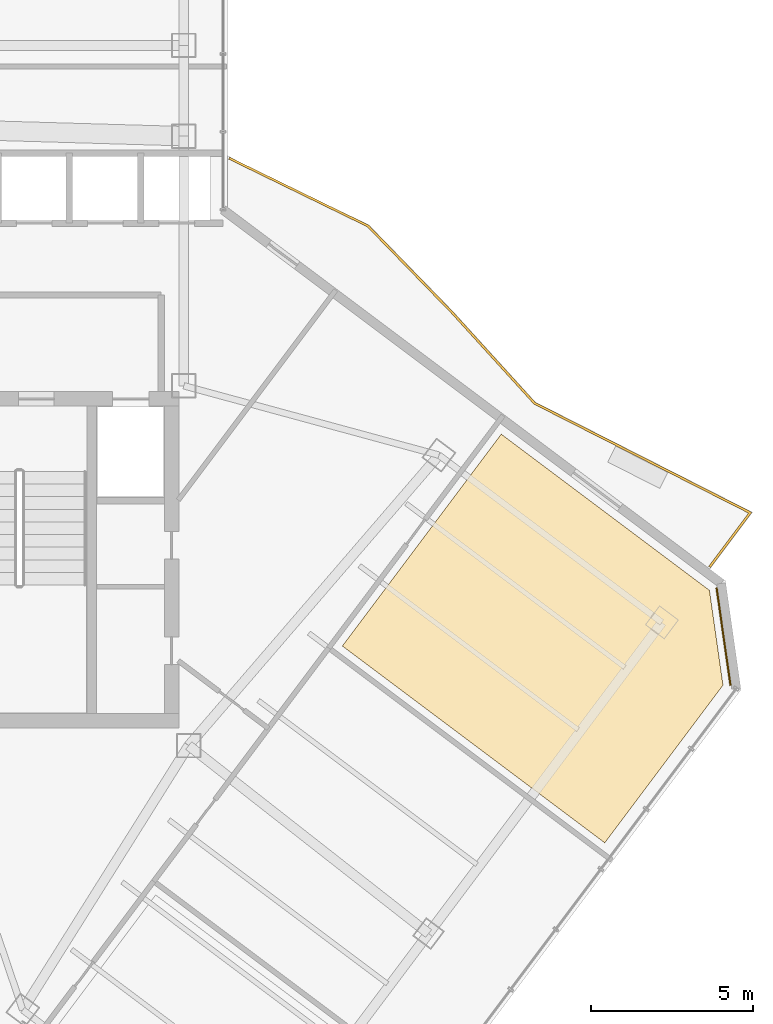
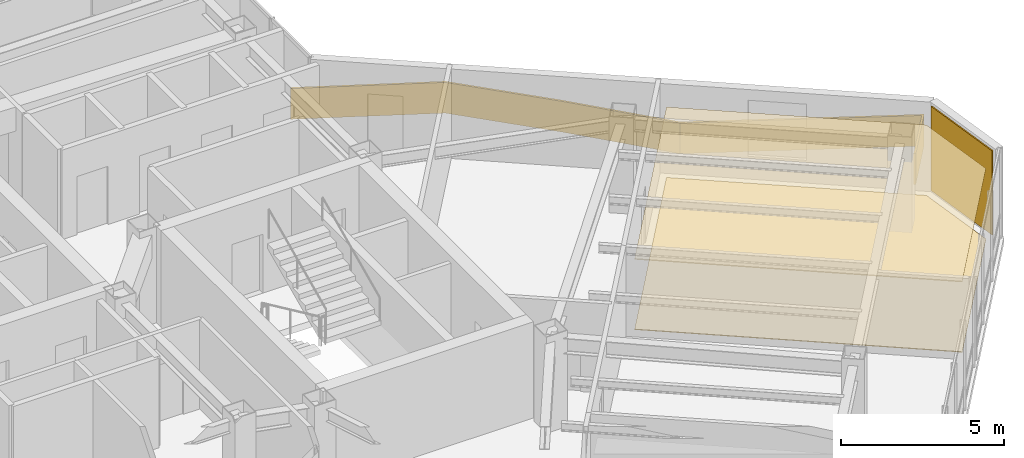
# One storey, part 25 of 26: 3 coverings, 1 railing.
"""IFC4 building model written with IfcOpenShell, lengths in metres."""

import ifcopenshell
import ifcopenshell.guid

model = None  # the IFC model being written
_history = None  # IfcOwnerHistory: only IFC2X3 demands one
_inside = {}  # id of a spatial element -> (the spatial element, [elements in it])
_under = {}  # id of a project, library or spatial element -> (it, [spatial elements below it])
_declared = {}  # id of a project -> (the project, [libraries it declares])
_typed = {}  # id of a type object -> (the type object, [elements of that type])
_made_of = {}  # id of a material, layer set ... -> (it, [elements and type objects made of it])


def new_model(schema):
    """Start an empty IFC model of exactly this schema.

    Asked for "IFC4X3", IfcOpenShell would pick the latest addendum, in which some entities
    have other attributes; the version numbers below select the first issue.
    IFC2X3 requires an IfcOwnerHistory on every rooted entity: one is made here for all.
    """
    global model, _history
    if schema == "IFC4X3":
        model = ifcopenshell.file(schema_version=(4, 3, 0, 0))
    else:
        model = ifcopenshell.file(schema=schema)
    _inside.clear()
    _under.clear()
    _declared.clear()
    _typed.clear()
    _made_of.clear()
    _history = None
    if model.schema == "IFC2X3":
        org = make("IfcOrganization", Name="unknown")
        user = make(
            "IfcPersonAndOrganization",
            ThePerson=make("IfcPerson", FamilyName="unknown"),
            TheOrganization=org,
        )
        app = make(
            "IfcApplication",
            ApplicationDeveloper=org,
            Version="unknown",
            ApplicationFullName="unknown",
            ApplicationIdentifier="unknown",
        )
        _history = make(
            "IfcOwnerHistory",
            OwningUser=user,
            OwningApplication=app,
            ChangeAction="ADDED",
            CreationDate=0,
        )
    return model


def make(cls, **values):
    """One entity of the class cls with the attributes given. An attribute that is None is left unset."""
    return model.create_entity(
        cls, **{name: value for name, value in values.items() if value is not None}
    )


def rooted(cls, **values):
    """An entity with a GlobalId (a new one), such as an element, a storey or a relation."""
    return make(cls, GlobalId=ifcopenshell.guid.new(), OwnerHistory=_history, **values)


def si_unit(unit_type, name, prefix=None):
    """IfcSIUnit, for example si_unit("LENGTHUNIT", "METRE", prefix="MILLI")."""
    return make("IfcSIUnit", UnitType=unit_type, Prefix=prefix, Name=name)


def assignment(units):
    """IfcUnitAssignment: the units of a project."""
    return None if units is None else make("IfcUnitAssignment", Units=units)


def point(xyz):
    """IfcCartesianPoint."""
    return None if xyz is None else make("IfcCartesianPoint", Coordinates=xyz)


def direction(xyz):
    """IfcDirection."""
    return None if xyz is None else make("IfcDirection", DirectionRatios=xyz)


def frame(location, z_axis=None, x_axis=None):
    """IfcAxis2Placement3D, a coordinate frame: its origin and axes. An axis left out is left unset."""
    return make(
        "IfcAxis2Placement3D",
        Location=point(location),
        Axis=direction(z_axis),
        RefDirection=direction(x_axis),
    )


def frame_2d(location, x_axis=None):
    """IfcAxis2Placement2D, a coordinate frame in the plane: its origin and x axis."""
    return make(
        "IfcAxis2Placement2D", Location=point(location), RefDirection=direction(x_axis)
    )


def origin():
    """The frame at (0, 0, 0) with its axes left unset."""
    return frame((0.0, 0.0, 0.0))


def origin_2d():
    """The frame at (0, 0) in the plane with its x axis left unset."""
    return frame_2d((0.0, 0.0))


def place(relative_to, where):
    """IfcLocalPlacement: puts the frame where relative to a parent placement (None: the world)."""
    return make(
        "IfcLocalPlacement", PlacementRelTo=relative_to, RelativePlacement=where
    )


def context(
    kind, dimensions, precision=None, world=None, true_north=None, identifier=None
):
    """IfcGeometricRepresentationContext, for example the 3D "Model" context."""
    return make(
        "IfcGeometricRepresentationContext",
        ContextIdentifier=identifier,
        ContextType=kind,
        CoordinateSpaceDimension=dimensions,
        Precision=precision,
        WorldCoordinateSystem=world,
        TrueNorth=true_north,
    )


def subcontext(parent, identifier, kind, view, scale=None):
    """IfcGeometricRepresentationSubContext, for example "Body" below "Model"."""
    return make(
        "IfcGeometricRepresentationSubContext",
        ContextIdentifier=identifier,
        ContextType=kind,
        ParentContext=parent,
        TargetScale=scale,
        TargetView=view,
    )


def project(units=None, contexts=None):
    """IfcProject with its units and contexts."""
    return rooted(
        "IfcProject",
        Name="project",
        RepresentationContexts=contexts,
        UnitsInContext=assignment(units),
    )


def spatial(cls, under=None, at=None, **own):
    """A site, building, storey or space (cls), placed at a placement, below another one or the project."""
    s = rooted(cls, ObjectPlacement=at, **own)
    if under is not None:
        _under.setdefault(under.id(), (under, []))[1].append(s)
    return s


def polyline(points):
    """IfcPolyline through the points."""
    return make("IfcPolyline", Points=[point(p) for p in points])


def profile(cls, at=None, kind="AREA", **sizes):
    """A parametric profile (cls). Its sizes go by their IFC names, for example OverallWidth=200.0."""
    return make(cls, ProfileType=kind, Position=at, **sizes)


def rectangle(**sizes):
    """IfcRectangleProfileDef."""
    return profile("IfcRectangleProfileDef", **sizes)


def outline(outer, holes=None, kind="AREA"):
    """IfcArbitraryClosedProfileDef: a profile drawn as a closed curve; with holes, ...WithVoids."""
    if holes is None:
        return make("IfcArbitraryClosedProfileDef", ProfileType=kind, OuterCurve=outer)
    return make(
        "IfcArbitraryProfileDefWithVoids",
        ProfileType=kind,
        OuterCurve=outer,
        InnerCurves=holes,
    )


def extrude(swept, where, along, depth):
    """IfcExtrudedAreaSolid: the profile swept, set in the frame where, extruded along a direction by depth."""
    return make(
        "IfcExtrudedAreaSolid",
        SweptArea=swept,
        Position=where,
        ExtrudedDirection=direction(along),
        Depth=depth,
    )


def shape(context_of_items, identifier, shape_type, items):
    """IfcShapeRepresentation: the items that make up one representation, for example the "Body"."""
    return make(
        "IfcShapeRepresentation",
        ContextOfItems=context_of_items,
        RepresentationIdentifier=identifier,
        RepresentationType=shape_type,
        Items=items,
    )


def material(Name=None, Category=None):
    """IfcMaterial."""
    return make("IfcMaterial", Name=Name, Category=Category)


def layer(
    of_material, thickness, ventilated=None, Name=None, Category=None, Priority=None
):
    """IfcMaterialLayer: one layer of a wall or slab, of a material (None: an air gap)."""
    return make(
        "IfcMaterialLayer",
        Material=of_material,
        LayerThickness=thickness,
        IsVentilated=ventilated,
        Name=Name,
        Category=Category,
        Priority=Priority,
    )


def layer_set(layers, Name=None):
    """IfcMaterialLayerSet."""
    return make("IfcMaterialLayerSet", MaterialLayers=layers, LayerSetName=Name)


def made_of(thing, what):
    """Note that an element or type object is made of a material, layer set ...; save() writes the relation."""
    if what is not None:
        _made_of.setdefault(what.id(), (what, []))[1].append(thing)
    return thing


def type_object(cls, material=None, **own):
    """A type object (cls), such as IfcWallType, which elements share."""
    return made_of(rooted(cls, **own), material)


def element(
    cls,
    number,
    at=None,
    inside=None,
    cuts=None,
    type_object=None,
    material=None,
    context=None,
    identifier="Body",
    shape_type=None,
    held_by="IfcProductDefinitionShape",
    body=None,
    shapes=None,
    **own,
):
    """One element of the class cls, such as IfcWall. Its Tag is "e" and its number.

    at: its placement. inside: the storey or other place that contains it. cuts: it is an
    opening in that element (IfcRelVoidsElement). A single representation is given by context,
    identifier, shape_type and body (its items); several are given by shapes. held_by: the class
    of the entity that holds the representations. save() writes the other relations.
    """
    e = rooted(cls, Tag="e%d" % number, ObjectPlacement=at, **own)
    if body is not None:
        shapes = [shape(context, identifier, shape_type, body)]
    if shapes is not None:
        e.Representation = make(held_by, Representations=shapes)
    if inside is not None:
        _inside.setdefault(inside.id(), (inside, []))[1].append(e)
    if cuts is not None:
        rooted(
            "IfcRelVoidsElement", RelatingBuildingElement=cuts, RelatedOpeningElement=e
        )
    if type_object is not None:
        _typed.setdefault(type_object.id(), (type_object, []))[1].append(e)
    return made_of(e, material)


def aggregate(whole, parts):
    """IfcRelAggregates: a whole, such as a stair, and the parts it consists of."""
    return rooted("IfcRelAggregates", RelatingObject=whole, RelatedObjects=parts)


def save(model, path):
    """Write the relations noted so far, then the file.

    IfcRelAggregates (storeys below a building ...), IfcRelContainedInSpatialStructure (elements
    in a storey), IfcRelDefinesByType, IfcRelAssociatesMaterial and IfcRelDeclares: one each for
    every whole, place, type object, material and project.
    """
    for whole, parts in _under.values():
        aggregate(whole, parts)
    for where, things in _inside.values():
        rooted(
            "IfcRelContainedInSpatialStructure",
            RelatedElements=things,
            RelatingStructure=where,
        )
    for kind, things in _typed.values():
        rooted("IfcRelDefinesByType", RelatedObjects=things, RelatingType=kind)
    for what, things in _made_of.values():
        rooted("IfcRelAssociatesMaterial", RelatedObjects=things, RelatingMaterial=what)
    for by, libraries in _declared.values():
        rooted("IfcRelDeclares", RelatingContext=by, RelatedDefinitions=libraries)
    model.write(path)


model = new_model("IFC4")

# Units and contexts
model_context = context("Model", 3, precision=1e-05, world=origin(), true_north=direction((0.0, 1.0)))
body_context = subcontext(model_context, "Body", "Model", "MODEL_VIEW")
ifc_project = project(units=[si_unit("LENGTHUNIT", "METRE"), si_unit("AREAUNIT", "SQUARE_METRE"), si_unit("VOLUMEUNIT", "CUBIC_METRE"), si_unit("PLANEANGLEUNIT", "RADIAN"), si_unit("MASSUNIT", "GRAM", prefix="KILO")], contexts=[model_context])

# Site, building, storey
site_placement = place(None, origin())
site = spatial("IfcSite", under=ifc_project, at=site_placement, CompositionType="ELEMENT")
building_placement = place(site_placement, origin())
building = spatial("IfcBuilding", under=site, at=building_placement, Name="Hatsunagi Terrace Concourse", CompositionType="ELEMENT")
storey_placement = place(building_placement, frame((0.0, 0.0, 198.75)))
storey = spatial("IfcBuildingStorey", under=building, at=storey_placement, Name="L52", CompositionType="ELEMENT", Elevation=198.75)

# Railing
ifc_material_1 = material(Name="Laminated Glass and Stainless Steel Guard", Category="steel")
ifc_layer_1 = layer(ifc_material_1, 0.070068359375)
ifc_layer_set_1 = layer_set([ifc_layer_1], Name="BalconyGlassGuardRail_1150")
railing_type = type_object("IfcRailingType", Name="BalconyGlassGuardRail_1150", PredefinedType="BALUSTRADE", material=ifc_layer_set_1)
railing_placement = place(storey_placement, origin())
element("IfcRailing", 1, at=railing_placement, inside=storey, type_object=railing_type, Name="Engawa Balcony Guard GRD-01 L52-BSE-1", PredefinedType="BALUSTRADE", context=body_context, shape_type="SweptSolid", body=[
    extrude(outline(polyline([(45.061279296875, 42.353515625), (45.03076171875, 42.29052734375), (49.30517578125, 40.205078125), (51.905517578125, 37.531982421875), (54.448486328125, 34.732666015625), (61.071044921875, 31.36962890625), (59.842041015625, 29.73095703125), (59.89794921875, 29.68896484375), (61.177001953125, 31.394287109375), (54.49169921875, 34.789306640625), (51.95654296875, 37.580078125), (49.3466796875, 40.2626953125), (45.061279296875, 42.353515625)])), origin(), (0.0, 0.0, 1.0), 1.14990234375),
])

# Coverings
ifc_material_2 = material(Name="Granite stone paving", Category="masonry")
ifc_layer_2 = layer(ifc_material_2, 0.02490234375)
ifc_layer_set_2 = layer_set([ifc_layer_2], Name="GraniteStoneFlooring_25")
covering_type_1 = type_object("IfcCoveringType", Name="GraniteStoneFlooring_25", PredefinedType="FLOORING", material=ifc_layer_set_2)
covering_1_placement = place(storey_placement, origin())
element("IfcCovering", 2, at=covering_1_placement, inside=storey, type_object=covering_type_1, Name="Finished Flooring L52-1", PredefinedType="FLOORING", context=body_context, shape_type="SweptSolid", body=[
    extrude(outline(polyline([(59.865966796875, 28.988037109375), (53.44189453125, 33.805908203125), (48.5400390625, 27.27001953125), (56.635986328125, 21.197998046875), (60.283935546875, 26.06201171875), (59.865966796875, 28.988037109375)])), origin(), (0.0, 0.0, 1.0), 0.02490234375),
])
ifc_material_3 = material(Name="Unglazed Warm Terracotta Rainscreen Tile", Category="masonry")
ifc_layer_3 = layer(ifc_material_3, 0.044921875)
ifc_layer_set_3 = layer_set([ifc_layer_3], Name="TerracottaRainscreenCladding_45")
covering_type_2 = type_object("IfcCoveringType", Name="TerracottaRainscreenCladding_45", PredefinedType="CLADDING", material=ifc_layer_set_3)
covering_2_placement = place(storey_placement, frame((60.301025390625, 27.55810546875, 0.10009765625), z_axis=(0.0, 0.0, 1.0), x_axis=(0.141250262458, -0.989973920543, 0.0)))
element("IfcCovering", 3, at=covering_2_placement, inside=storey, type_object=covering_type_2, Name="Terracotta Rainscreen Cladding L52-02", PredefinedType="CLADDING", context=body_context, shape_type="SweptSolid", body=[
    extrude(rectangle(XDim=3.0380859375, YDim=0.044921875, at=origin_2d()), origin(), (0.0, 0.0, 1.0), 3.14990234375),
])
ifc_material_4 = material(Name="Hardwood timber", Category="wood")
ifc_layer_4 = layer(ifc_material_4, 0.034912109375)
ifc_layer_set_4 = layer_set([ifc_layer_4], Name="TimberBaffleCeiling_35")
covering_type_3 = type_object("IfcCoveringType", Name="TimberBaffleCeiling_35", PredefinedType="CEILING", material=ifc_layer_set_4)
covering_3_placement = place(storey_placement, frame((0.0, 0.0, 2.6298828125)))
element("IfcCovering", 4, at=covering_3_placement, inside=storey, type_object=covering_type_3, Name="Suspended Ceiling L52-1", PredefinedType="CEILING", context=body_context, shape_type="SweptSolid", body=[
    extrude(outline(polyline([(59.865966796875, 28.988037109375), (53.44189453125, 33.805908203125), (48.5400390625, 27.27001953125), (56.635986328125, 21.197998046875), (60.283935546875, 26.06201171875), (59.865966796875, 28.988037109375)])), origin(), (0.0, 0.0, 1.0), 0.03515625),
])

save(model, "model.ifc")
